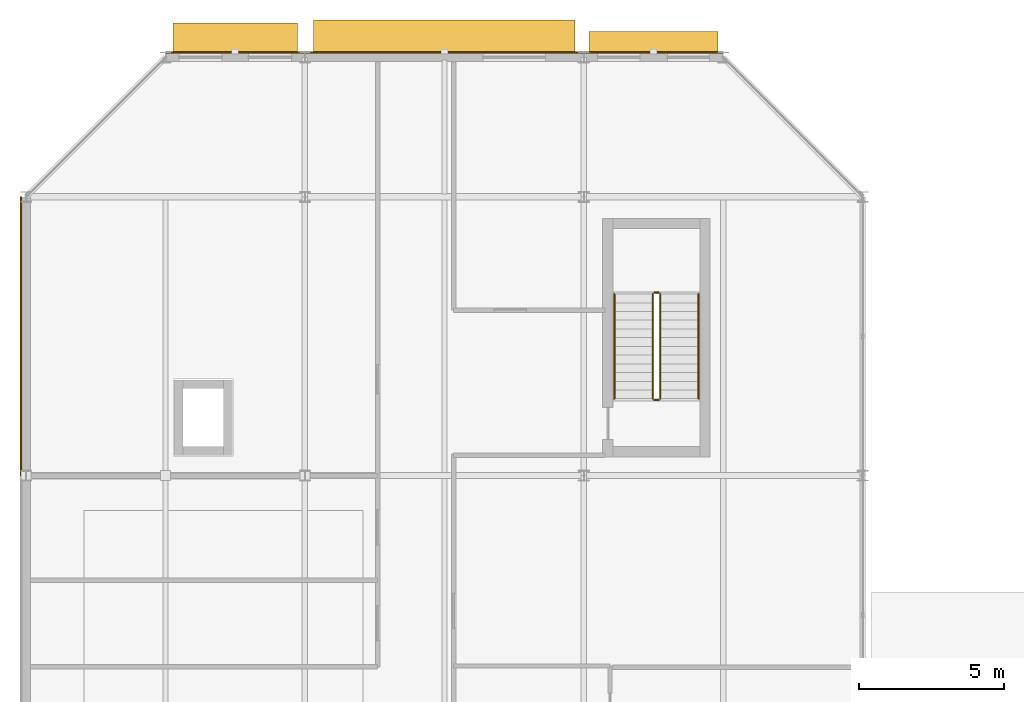
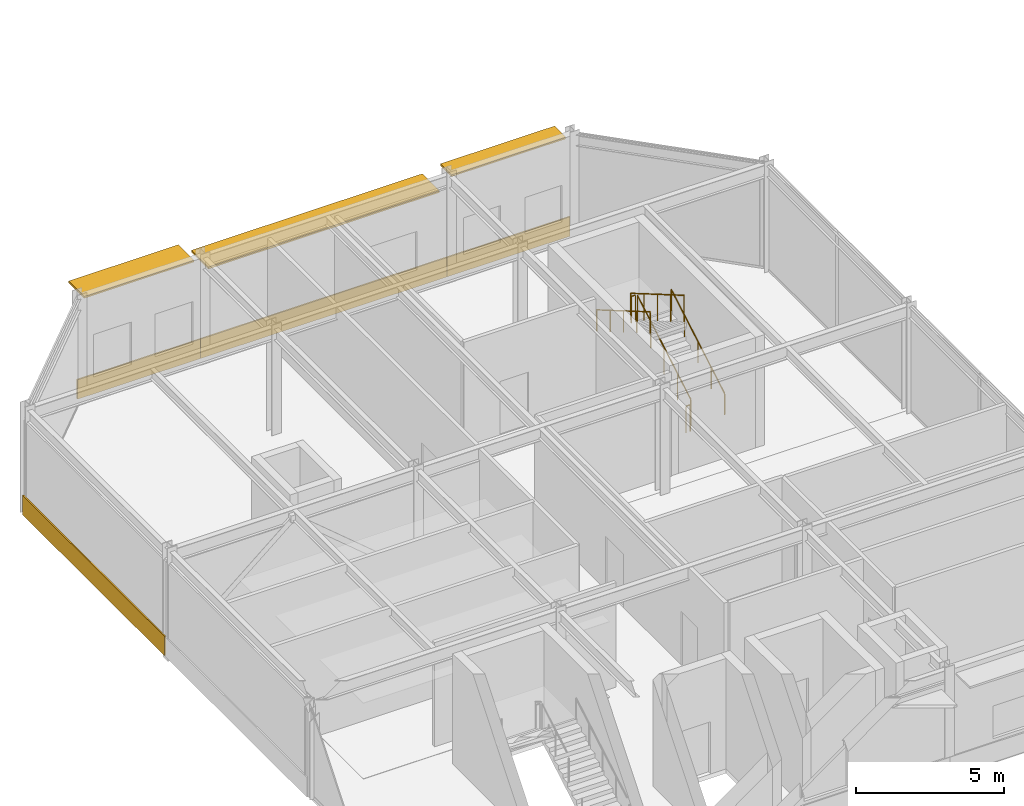
# One storey, part 124 of 133: 6 railings, 4 coverings, 3 shading devices.
"""IFC4 building model written with IfcOpenShell, lengths in metres."""

from ifc_helpers import new_model, si_unit, direction, frame, origin, origin_2d, place, context, subcontext, project, spatial, rectangle, circle, extrude, material, layer, layer_set, type_object, element, save


model = new_model("IFC4")

# Units and contexts
model_context = context("Model", 3, precision=1e-05, world=origin(), true_north=direction((0.0, 1.0)))
body_context = subcontext(model_context, "Body", "Model", "MODEL_VIEW")
ifc_project = project(units=[si_unit("LENGTHUNIT", "METRE"), si_unit("AREAUNIT", "SQUARE_METRE"), si_unit("VOLUMEUNIT", "CUBIC_METRE"), si_unit("PLANEANGLEUNIT", "RADIAN"), si_unit("MASSUNIT", "GRAM", prefix="KILO")], contexts=[model_context])

# Site, building, storey
site_placement = place(None, origin())
site = spatial("IfcSite", under=ifc_project, at=site_placement, CompositionType="ELEMENT")
building_placement = place(site_placement, origin())
building = spatial("IfcBuilding", under=site, at=building_placement, Name="Almandine Court Research Institute", CompositionType="ELEMENT")
storey_placement = place(building_placement, frame((0.0, 0.0, 9.800048828125)))
storey = spatial("IfcBuildingStorey", under=building, at=storey_placement, Name="L02", CompositionType="ELEMENT", Elevation=9.800048828125)

# Coverings
ifc_material_1 = material(Name="Extruded Cream-Ochre Seismic Terracotta Spandrel", Category="masonry")
ifc_layer_1 = layer(ifc_material_1, 0.054931640625)
ifc_layer_set_1 = layer_set([ifc_layer_1], Name="Extruded Cream-Ochre Seismic Terracotta Spandrel")
covering_type = type_object("IfcCoveringType", Name="Cov-CLAD-TERR", PredefinedType="CLADDING", material=ifc_layer_set_1)
covering_1_placement = place(storey_placement, frame((5.830078125, 108.0, 0.02001953125), z_axis=(0.0, 0.0, 1.0), x_axis=(0.0, 1.0, 0.0)))
element("IfcCovering", 1, at=covering_1_placement, inside=storey, type_object=covering_type, Name="L02 Facade Spandrel Cladding Band 59", PredefinedType="CLADDING", context=body_context, shape_type="SweptSolid", body=[
    extrude(rectangle(XDim=9.592041015625, YDim=0.054931640625, at=origin_2d()), origin(), (0.0, 0.0, 1.0), 0.800048828125),
])
covering_2_placement = place(storey_placement, frame((13.199951171875, 117.77001953125, 0.02001953125), z_axis=(0.0, 0.0, 1.0), x_axis=(1.0, 0.0, 0.0)))
element("IfcCovering", 2, at=covering_2_placement, inside=storey, type_object=covering_type, Name="L02 Facade Spandrel Cladding Band 60", PredefinedType="CLADDING", context=body_context, shape_type="SweptSolid", body=[
    extrude(rectangle(XDim=4.7919921875, YDim=0.054931640625, at=origin_2d()), origin(), (0.0, 0.0, 1.0), 0.800048828125),
])
covering_3_placement = place(storey_placement, frame((20.39990234375, 117.77001953125, 0.02001953125), z_axis=(0.0, 0.0, 1.0), x_axis=(1.0, 0.0, 0.0)))
element("IfcCovering", 3, at=covering_3_placement, inside=storey, type_object=covering_type, Name="L02 Facade Spandrel Cladding Band 61", PredefinedType="CLADDING", context=body_context, shape_type="SweptSolid", body=[
    extrude(rectangle(XDim=9.592041015625, YDim=0.054931640625, at=origin_2d()), origin(), (0.0, 0.0, 1.0), 0.800048828125),
])
covering_4_placement = place(storey_placement, frame((27.60009765625, 117.77001953125, 0.02001953125), z_axis=(0.0, 0.0, 1.0), x_axis=(1.0, 0.0, 0.0)))
element("IfcCovering", 4, at=covering_4_placement, inside=storey, type_object=covering_type, Name="L02 Facade Spandrel Cladding Band 62", PredefinedType="CLADDING", context=body_context, shape_type="SweptSolid", body=[
    extrude(rectangle(XDim=4.7919921875, YDim=0.054931640625, at=origin_2d()), origin(), (0.0, 0.0, 1.0), 0.800048828125),
])

# Railings
ifc_material_2 = material(Name="Powder-Coated Steel Stair and Atrium Balustrade", Category="steel")
railing_type_1 = type_object("IfcRailingType", Name="Rail-GUARD-INT", PredefinedType="BALUSTRADE", material=ifc_material_2)
railing_1_placement = place(storey_placement, frame((27.830078125, 105.85009765625, 0.175048828125)))
element("IfcRailing", 5, at=railing_1_placement, inside=storey, type_object=railing_type_1, Name="L02 ST-06 stair guard 1", PredefinedType="BALUSTRADE", context=body_context, shape_type="SweptSolid", body=[
    extrude(circle(Radius=0.02392578125, at=origin_2d()), frame((0.0, 0.0, 1.09619140625), z_axis=(0.0, 0.86378527499, 0.503860098351), x_axis=(-1.0, 0.0, 0.0)), (0.0, 0.0, 1.0), 4.16748046875),
    extrude(circle(Radius=0.02099609375, at=origin_2d()), origin(), (0.0, 0.0, 1.0), 1.072021484375),
    extrude(circle(Radius=0.02099609375, at=origin_2d()), frame((0.0, 0.89990234375, 0.52490234375)), (0.0, 0.0, 1.0), 1.072021484375),
    extrude(circle(Radius=0.02099609375, at=origin_2d()), frame((0.0, 1.7998046875, 1.0498046875)), (0.0, 0.0, 1.0), 1.072021484375),
    extrude(circle(Radius=0.02099609375, at=origin_2d()), frame((0.0, 2.699951171875, 1.574951171875)), (0.0, 0.0, 1.0), 1.072021484375),
    extrude(circle(Radius=0.02099609375, at=origin_2d()), frame((0.0, 3.599853515625, 2.099853515625)), (0.0, 0.0, 1.0), 1.072021484375),
])
railing_2_placement = place(storey_placement, frame((27.780029296875, 109.5, 2.27490234375)))
element("IfcRailing", 6, at=railing_2_placement, inside=storey, type_object=railing_type_1, Name="L02 ST-06 stair guard 2", PredefinedType="BALUSTRADE", context=body_context, shape_type="SweptSolid", body=[
    extrude(circle(Radius=0.02392578125, at=origin_2d()), frame((0.0, 0.0, 1.09619140625), z_axis=(-1.0, 0.0, 0.0), x_axis=(0.0, -1.0, 0.0)), (0.0, 0.0, 1.0), 0.159912109375),
    extrude(circle(Radius=0.02099609375, at=origin_2d()), origin(), (0.0, 0.0, 1.0), 1.072021484375),
    extrude(circle(Radius=0.02099609375, at=origin_2d()), frame((-0.159912109375, 0.0, 0.0)), (0.0, 0.0, 1.0), 1.072021484375),
])
railing_3_placement = place(storey_placement, frame((27.570068359375, 109.449951171875, 2.449951171875)))
element("IfcRailing", 7, at=railing_3_placement, inside=storey, type_object=railing_type_1, Name="L02 ST-06 stair guard 3", PredefinedType="BALUSTRADE", context=body_context, shape_type="SweptSolid", body=[
    extrude(circle(Radius=0.02392578125, at=origin_2d()), frame((0.0, 0.0, 1.09619140625), z_axis=(0.0, -0.863759778359, 0.503903805591), x_axis=(1.0, 0.0, 0.0)), (0.0, 0.0, 1.0), 4.167724609375),
    extrude(circle(Radius=0.02099609375, at=origin_2d()), origin(), (0.0, 0.0, 1.0), 1.072021484375),
    extrude(circle(Radius=0.02099609375, at=origin_2d()), frame((0.0, -0.89990234375, 0.52490234375)), (0.0, 0.0, 1.0), 1.072021484375),
    extrude(circle(Radius=0.02099609375, at=origin_2d()), frame((0.0, -1.7998046875, 1.050048828125)), (0.0, 0.0, 1.0), 1.072021484375),
    extrude(circle(Radius=0.02099609375, at=origin_2d()), frame((0.0, -2.699951171875, 1.5751953125)), (0.0, 0.0, 1.0), 1.072021484375),
    extrude(circle(Radius=0.02099609375, at=origin_2d()), frame((0.0, -3.599853515625, 2.10009765625)), (0.0, 0.0, 1.0), 1.072021484375),
])
railing_4_placement = place(storey_placement, frame((27.780029296875, 105.800048828125, 0.0)))
element("IfcRailing", 8, at=railing_4_placement, inside=storey, type_object=railing_type_1, Name="L02 ST-06 stair guard 4", PredefinedType="BALUSTRADE", context=body_context, shape_type="SweptSolid", body=[
    extrude(circle(Radius=0.02392578125, at=origin_2d()), frame((0.0, 0.0, 1.09619140625), z_axis=(-1.0, 0.0, 0.0), x_axis=(0.0, -1.0, 0.0)), (0.0, 0.0, 1.0), 0.159912109375),
    extrude(circle(Radius=0.02099609375, at=origin_2d()), origin(), (0.0, 0.0, 1.0), 1.072021484375),
    extrude(circle(Radius=0.02099609375, at=origin_2d()), frame((-0.159912109375, 0.0, 0.0)), (0.0, 0.0, 1.0), 1.072021484375),
])
ifc_material_3 = material(Name="Brushed Stainless Steel Wall Handrail", Category="steel")
railing_type_2 = type_object("IfcRailingType", Name="Rail-HAND-INT", PredefinedType="HANDRAIL", material=ifc_material_3)
railing_5_placement = place(storey_placement, frame((29.14990234375, 105.85009765625, 0.175048828125)))
element("IfcRailing", 9, at=railing_5_placement, inside=storey, type_object=railing_type_2, Name="L02 ST-06 stair handrail 1", PredefinedType="HANDRAIL", context=body_context, shape_type="SweptSolid", body=[
    extrude(circle(Radius=0.02392578125, at=origin_2d()), frame((0.0, 0.0, 0.8759765625), z_axis=(0.0, 0.86378527499, 0.503860098351), x_axis=(-1.0, 0.0, 0.0)), (0.0, 0.0, 1.0), 4.16748046875),
    extrude(circle(Radius=0.02099609375, at=origin_2d()), origin(), (0.0, 0.0, 1.0), 0.851806640625),
    extrude(circle(Radius=0.02099609375, at=origin_2d()), frame((0.0, 0.89990234375, 0.52490234375)), (0.0, 0.0, 1.0), 0.851806640625),
    extrude(circle(Radius=0.02099609375, at=origin_2d()), frame((0.0, 1.7998046875, 1.0498046875)), (0.0, 0.0, 1.0), 0.851806640625),
    extrude(circle(Radius=0.02099609375, at=origin_2d()), frame((0.0, 2.699951171875, 1.574951171875)), (0.0, 0.0, 1.0), 0.851806640625),
    extrude(circle(Radius=0.02099609375, at=origin_2d()), frame((0.0, 3.599853515625, 2.099853515625)), (0.0, 0.0, 1.0), 0.851806640625),
])
railing_6_placement = place(storey_placement, frame((26.25, 109.449951171875, 2.449951171875)))
element("IfcRailing", 10, at=railing_6_placement, inside=storey, type_object=railing_type_2, Name="L02 ST-06 stair handrail 2", PredefinedType="HANDRAIL", context=body_context, shape_type="SweptSolid", body=[
    extrude(circle(Radius=0.02392578125, at=origin_2d()), frame((0.0, 0.0, 0.8759765625), z_axis=(0.0, -0.863759778359, 0.503903805591), x_axis=(1.0, 0.0, 0.0)), (0.0, 0.0, 1.0), 4.167724609375),
    extrude(circle(Radius=0.02099609375, at=origin_2d()), origin(), (0.0, 0.0, 1.0), 0.851806640625),
    extrude(circle(Radius=0.02099609375, at=origin_2d()), frame((0.0, -0.89990234375, 0.52490234375)), (0.0, 0.0, 1.0), 0.851806640625),
    extrude(circle(Radius=0.02099609375, at=origin_2d()), frame((0.0, -1.7998046875, 1.050048828125)), (0.0, 0.0, 1.0), 0.851806640625),
    extrude(circle(Radius=0.02099609375, at=origin_2d()), frame((0.0, -2.699951171875, 1.5751953125)), (0.0, 0.0, 1.0), 0.851806640625),
    extrude(circle(Radius=0.02099609375, at=origin_2d()), frame((0.0, -3.599853515625, 2.10009765625)), (0.0, 0.0, 1.0), 0.851806640625),
])

# Shading devices
ifc_material_4 = material(Name="Precast GFRC Chhajja Sunshade and Acoustic Louvre", Category="concrete")
ifc_layer_2 = layer(ifc_material_4, 0.080078125)
ifc_layer_set_2 = layer_set([ifc_layer_2], Name="Precast GFRC Chhajja Sunshade and Acoustic Louvre")
shading_device_type_1 = type_object("IfcShadingDeviceType", Name="Shd-SD-22", PredefinedType="AWNING", material=ifc_layer_set_2)
shading_device_1_placement = place(storey_placement, frame((13.199951171875, 118.260009765625, 4.08984375), z_axis=(0.0, 0.0, 1.0), x_axis=(1.0, 0.0, 0.0)))
element("IfcShadingDevice", 11, at=shading_device_1_placement, inside=storey, type_object=shading_device_type_1, Name="L02 Projecting Chhajja Sunshade 30", PredefinedType="AWNING", context=body_context, shape_type="SweptSolid", body=[
    extrude(rectangle(XDim=4.281982421875, YDim=1.050048828125, at=origin_2d()), origin(), (0.0, 0.0, 1.0), 0.080078125),
])
ifc_layer_3 = layer(ifc_material_4, 0.080078125)
ifc_layer_set_3 = layer_set([ifc_layer_3], Name="Precast GFRC Chhajja Sunshade and Acoustic Louvre")
shading_device_type_2 = type_object("IfcShadingDeviceType", Name="Shd-SD-23", PredefinedType="AWNING", material=ifc_layer_set_3)
shading_device_2_placement = place(storey_placement, frame((20.39990234375, 118.31005859375, 3.60400390625), z_axis=(0.0, 0.0, 1.0), x_axis=(1.0, 0.0, 0.0)))
element("IfcShadingDevice", 12, at=shading_device_2_placement, inside=storey, type_object=shading_device_type_2, Name="L02 Projecting Chhajja Sunshade 31", PredefinedType="AWNING", context=body_context, shape_type="SweptSolid", body=[
    extrude(rectangle(XDim=9.001953125, YDim=1.14990234375, at=origin_2d()), origin(), (0.0, 0.0, 1.0), 0.080078125),
])
ifc_layer_4 = layer(ifc_material_4, 0.080078125)
ifc_layer_set_4 = layer_set([ifc_layer_4], Name="Precast GFRC Chhajja Sunshade and Acoustic Louvre")
shading_device_type_3 = type_object("IfcShadingDeviceType", Name="Shd-SD-24", PredefinedType="AWNING", material=ifc_layer_set_4)
shading_device_3_placement = place(storey_placement, frame((27.60009765625, 118.110107421875, 4.08984375), z_axis=(0.0, 0.0, 1.0), x_axis=(1.0, 0.0, 0.0)))
element("IfcShadingDevice", 13, at=shading_device_3_placement, inside=storey, type_object=shading_device_type_3, Name="L02 Projecting Chhajja Sunshade 32", PredefinedType="AWNING", context=body_context, shape_type="SweptSolid", body=[
    extrude(rectangle(XDim=4.44189453125, YDim=0.75, at=origin_2d()), origin(), (0.0, 0.0, 1.0), 0.080078125),
])

save(model, "model.ifc")
